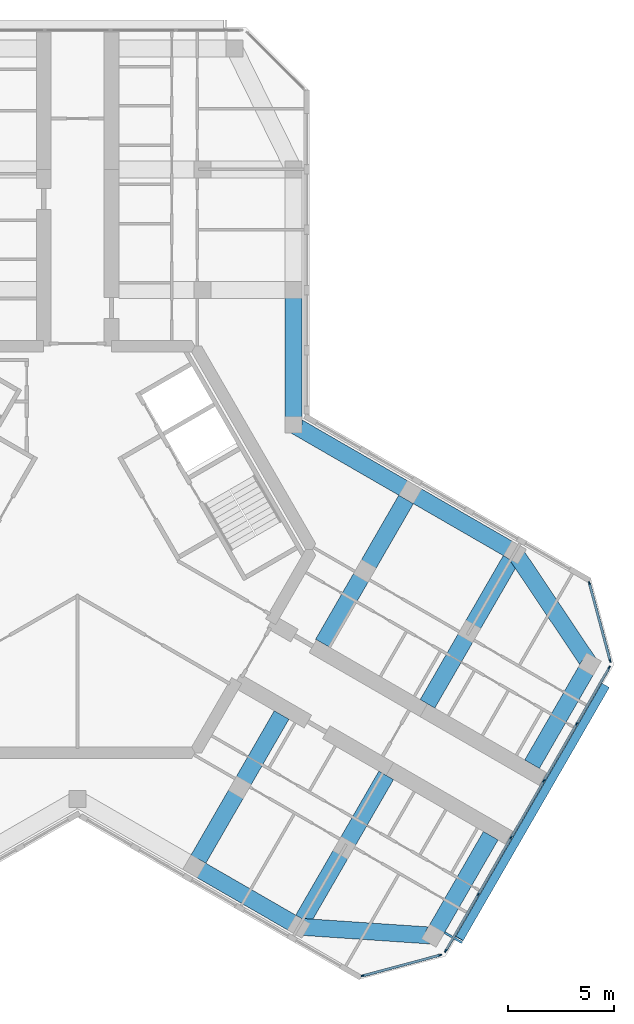
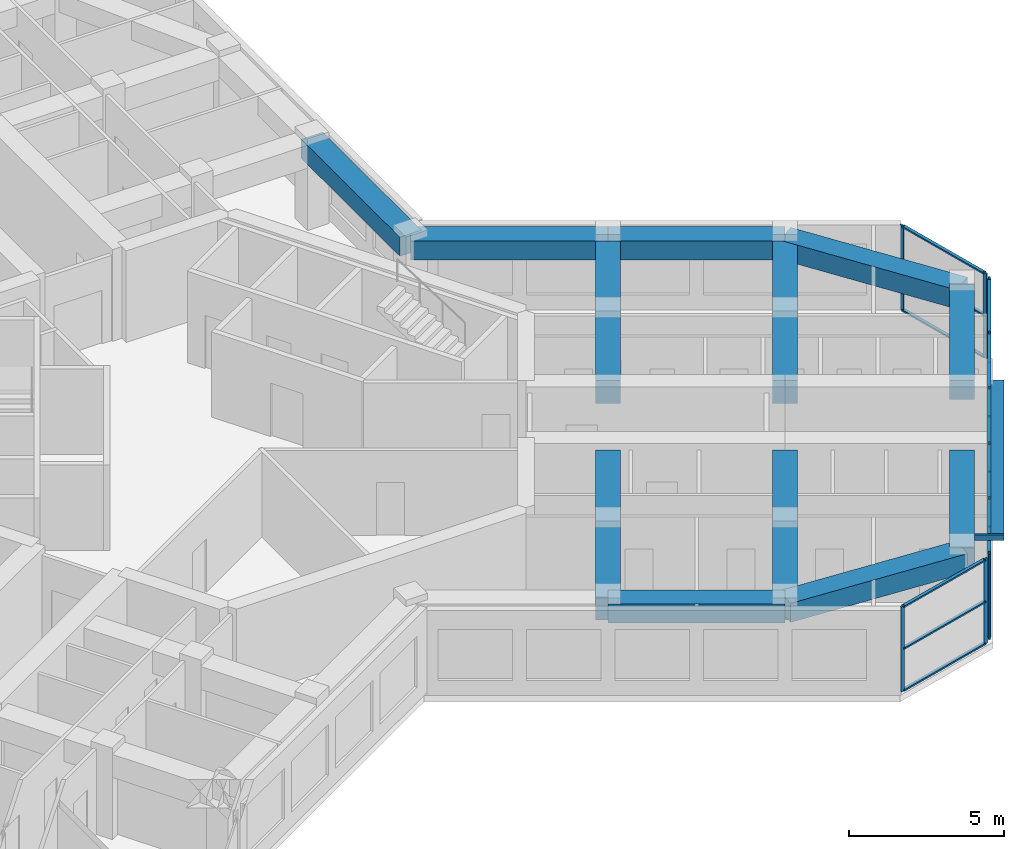
# One storey, part 4 of 14: 28 members, 12 beams, 3 elements without a shape of their own.
"""IFC4 building model written with IfcOpenShell, lengths in metres."""

import ifcopenshell
import ifcopenshell.guid

model = None  # the IFC model being written
_history = None  # IfcOwnerHistory: only IFC2X3 demands one
_inside = {}  # id of a spatial element -> (the spatial element, [elements in it])
_under = {}  # id of a project, library or spatial element -> (it, [spatial elements below it])
_declared = {}  # id of a project -> (the project, [libraries it declares])
_typed = {}  # id of a type object -> (the type object, [elements of that type])
_made_of = {}  # id of a material, layer set ... -> (it, [elements and type objects made of it])


def new_model(schema):
    """Start an empty IFC model of exactly this schema.

    Asked for "IFC4X3", IfcOpenShell would pick the latest addendum, in which some entities
    have other attributes; the version numbers below select the first issue.
    IFC2X3 requires an IfcOwnerHistory on every rooted entity: one is made here for all.
    """
    global model, _history
    if schema == "IFC4X3":
        model = ifcopenshell.file(schema_version=(4, 3, 0, 0))
    else:
        model = ifcopenshell.file(schema=schema)
    _inside.clear()
    _under.clear()
    _declared.clear()
    _typed.clear()
    _made_of.clear()
    _history = None
    if model.schema == "IFC2X3":
        org = make("IfcOrganization", Name="unknown")
        user = make(
            "IfcPersonAndOrganization",
            ThePerson=make("IfcPerson", FamilyName="unknown"),
            TheOrganization=org,
        )
        app = make(
            "IfcApplication",
            ApplicationDeveloper=org,
            Version="unknown",
            ApplicationFullName="unknown",
            ApplicationIdentifier="unknown",
        )
        _history = make(
            "IfcOwnerHistory",
            OwningUser=user,
            OwningApplication=app,
            ChangeAction="ADDED",
            CreationDate=0,
        )
    return model


def make(cls, **values):
    """One entity of the class cls with the attributes given. An attribute that is None is left unset."""
    return model.create_entity(
        cls, **{name: value for name, value in values.items() if value is not None}
    )


def rooted(cls, **values):
    """An entity with a GlobalId (a new one), such as an element, a storey or a relation."""
    return make(cls, GlobalId=ifcopenshell.guid.new(), OwnerHistory=_history, **values)


def si_unit(unit_type, name, prefix=None):
    """IfcSIUnit, for example si_unit("LENGTHUNIT", "METRE", prefix="MILLI")."""
    return make("IfcSIUnit", UnitType=unit_type, Prefix=prefix, Name=name)


def assignment(units):
    """IfcUnitAssignment: the units of a project."""
    return None if units is None else make("IfcUnitAssignment", Units=units)


def point(xyz):
    """IfcCartesianPoint."""
    return None if xyz is None else make("IfcCartesianPoint", Coordinates=xyz)


def direction(xyz):
    """IfcDirection."""
    return None if xyz is None else make("IfcDirection", DirectionRatios=xyz)


def frame(location, z_axis=None, x_axis=None):
    """IfcAxis2Placement3D, a coordinate frame: its origin and axes. An axis left out is left unset."""
    return make(
        "IfcAxis2Placement3D",
        Location=point(location),
        Axis=direction(z_axis),
        RefDirection=direction(x_axis),
    )


def frame_2d(location, x_axis=None):
    """IfcAxis2Placement2D, a coordinate frame in the plane: its origin and x axis."""
    return make(
        "IfcAxis2Placement2D", Location=point(location), RefDirection=direction(x_axis)
    )


def origin():
    """The frame at (0, 0, 0) with its axes left unset."""
    return frame((0.0, 0.0, 0.0))


def origin_2d():
    """The frame at (0, 0) in the plane with its x axis left unset."""
    return frame_2d((0.0, 0.0))


def place(relative_to, where):
    """IfcLocalPlacement: puts the frame where relative to a parent placement (None: the world)."""
    return make(
        "IfcLocalPlacement", PlacementRelTo=relative_to, RelativePlacement=where
    )


def context(
    kind, dimensions, precision=None, world=None, true_north=None, identifier=None
):
    """IfcGeometricRepresentationContext, for example the 3D "Model" context."""
    return make(
        "IfcGeometricRepresentationContext",
        ContextIdentifier=identifier,
        ContextType=kind,
        CoordinateSpaceDimension=dimensions,
        Precision=precision,
        WorldCoordinateSystem=world,
        TrueNorth=true_north,
    )


def subcontext(parent, identifier, kind, view, scale=None):
    """IfcGeometricRepresentationSubContext, for example "Body" below "Model"."""
    return make(
        "IfcGeometricRepresentationSubContext",
        ContextIdentifier=identifier,
        ContextType=kind,
        ParentContext=parent,
        TargetScale=scale,
        TargetView=view,
    )


def project(units=None, contexts=None):
    """IfcProject with its units and contexts."""
    return rooted(
        "IfcProject",
        Name="project",
        RepresentationContexts=contexts,
        UnitsInContext=assignment(units),
    )


def spatial(cls, under=None, at=None, **own):
    """A site, building, storey or space (cls), placed at a placement, below another one or the project."""
    s = rooted(cls, ObjectPlacement=at, **own)
    if under is not None:
        _under.setdefault(under.id(), (under, []))[1].append(s)
    return s


def profile(cls, at=None, kind="AREA", **sizes):
    """A parametric profile (cls). Its sizes go by their IFC names, for example OverallWidth=200.0."""
    return make(cls, ProfileType=kind, Position=at, **sizes)


def rectangle(**sizes):
    """IfcRectangleProfileDef."""
    return profile("IfcRectangleProfileDef", **sizes)


def hollow_rectangle(**sizes):
    """IfcRectangleHollowProfileDef."""
    return profile("IfcRectangleHollowProfileDef", **sizes)


def extrude(swept, where, along, depth):
    """IfcExtrudedAreaSolid: the profile swept, set in the frame where, extruded along a direction by depth."""
    return make(
        "IfcExtrudedAreaSolid",
        SweptArea=swept,
        Position=where,
        ExtrudedDirection=direction(along),
        Depth=depth,
    )


def shape(context_of_items, identifier, shape_type, items):
    """IfcShapeRepresentation: the items that make up one representation, for example the "Body"."""
    return make(
        "IfcShapeRepresentation",
        ContextOfItems=context_of_items,
        RepresentationIdentifier=identifier,
        RepresentationType=shape_type,
        Items=items,
    )


def material(Name=None, Category=None):
    """IfcMaterial."""
    return make("IfcMaterial", Name=Name, Category=Category)


def material_profile(
    of_material, cross_section, Name=None, Category=None, Priority=None
):
    """IfcMaterialProfile: a cross section and its material."""
    return make(
        "IfcMaterialProfile",
        Name=Name,
        Material=of_material,
        Profile=cross_section,
        Priority=Priority,
        Category=Category,
    )


def profile_set(profiles, Name=None, composite=None):
    """IfcMaterialProfileSet."""
    return make(
        "IfcMaterialProfileSet",
        Name=Name,
        MaterialProfiles=profiles,
        CompositeProfile=composite,
    )


def made_of(thing, what):
    """Note that an element or type object is made of a material, layer set ...; save() writes the relation."""
    if what is not None:
        _made_of.setdefault(what.id(), (what, []))[1].append(thing)
    return thing


def type_object(cls, material=None, **own):
    """A type object (cls), such as IfcWallType, which elements share."""
    return made_of(rooted(cls, **own), material)


def element(
    cls,
    number,
    at=None,
    inside=None,
    cuts=None,
    type_object=None,
    material=None,
    context=None,
    identifier="Body",
    shape_type=None,
    held_by="IfcProductDefinitionShape",
    body=None,
    shapes=None,
    **own,
):
    """One element of the class cls, such as IfcWall. Its Tag is "e" and its number.

    at: its placement. inside: the storey or other place that contains it. cuts: it is an
    opening in that element (IfcRelVoidsElement). A single representation is given by context,
    identifier, shape_type and body (its items); several are given by shapes. held_by: the class
    of the entity that holds the representations. save() writes the other relations.
    """
    e = rooted(cls, Tag="e%d" % number, ObjectPlacement=at, **own)
    if body is not None:
        shapes = [shape(context, identifier, shape_type, body)]
    if shapes is not None:
        e.Representation = make(held_by, Representations=shapes)
    if inside is not None:
        _inside.setdefault(inside.id(), (inside, []))[1].append(e)
    if cuts is not None:
        rooted(
            "IfcRelVoidsElement", RelatingBuildingElement=cuts, RelatedOpeningElement=e
        )
    if type_object is not None:
        _typed.setdefault(type_object.id(), (type_object, []))[1].append(e)
    return made_of(e, material)


def aggregate(whole, parts):
    """IfcRelAggregates: a whole, such as a stair, and the parts it consists of."""
    return rooted("IfcRelAggregates", RelatingObject=whole, RelatedObjects=parts)


def save(model, path):
    """Write the relations noted so far, then the file.

    IfcRelAggregates (storeys below a building ...), IfcRelContainedInSpatialStructure (elements
    in a storey), IfcRelDefinesByType, IfcRelAssociatesMaterial and IfcRelDeclares: one each for
    every whole, place, type object, material and project.
    """
    for whole, parts in _under.values():
        aggregate(whole, parts)
    for where, things in _inside.values():
        rooted(
            "IfcRelContainedInSpatialStructure",
            RelatedElements=things,
            RelatingStructure=where,
        )
    for kind, things in _typed.values():
        rooted("IfcRelDefinesByType", RelatedObjects=things, RelatingType=kind)
    for what, things in _made_of.values():
        rooted("IfcRelAssociatesMaterial", RelatedObjects=things, RelatingMaterial=what)
    for by, libraries in _declared.values():
        rooted("IfcRelDeclares", RelatingContext=by, RelatedDefinitions=libraries)
    model.write(path)


model = new_model("IFC4")

# Units and contexts
model_context = context("Model", 3, precision=1e-05, world=origin(), true_north=direction((0.0, 1.0)))
body_context = subcontext(model_context, "Body", "Model", "MODEL_VIEW")
ifc_project = project(units=[si_unit("LENGTHUNIT", "METRE"), si_unit("AREAUNIT", "SQUARE_METRE"), si_unit("VOLUMEUNIT", "CUBIC_METRE"), si_unit("PLANEANGLEUNIT", "RADIAN"), si_unit("MASSUNIT", "GRAM", prefix="KILO")], contexts=[model_context])

# Site, building, storey
site_placement = place(None, origin())
site = spatial("IfcSite", under=ifc_project, at=site_placement, CompositionType="ELEMENT")
building_placement = place(site_placement, origin())
building = spatial("IfcBuilding", under=site, at=building_placement, Name="Kosmar Iwan School Tower", CompositionType="ELEMENT")
storey_placement = place(building_placement, frame((0.0, 0.0, 274.60009765625)))
storey = spatial("IfcBuildingStorey", under=building, at=storey_placement, Name="L69", CompositionType="ELEMENT", Elevation=274.60009765625)

# Members
ifc_material_1 = material(Name="Black anodised aluminium", Category="aluminium")
ifc_material_profile_1 = material_profile(ifc_material_1, rectangle(XDim=0.10009765625, YDim=0.39990234375, at=origin_2d()), Name="FIN 100x400")
ifc_profile_set_1 = profile_set([ifc_material_profile_1], Name="Black anodised aluminium")
member_type_1 = type_object("IfcMemberType", Name="Diagonal fin 100x400", PredefinedType="USERDEFINED", material=ifc_profile_set_1)
member_1_placement = place(storey_placement, frame((24.926513671875, -6.426025390625, -0.150146484375), z_axis=(-0.483800388566, -0.837965217343, 0.2524905514), x_axis=(0.126245460598, 0.218663124976, 0.96759935999)))
element("IfcMember", 1, at=member_1_placement, inside=storey, type_object=member_type_1, Name="Diagonal fin L69-F03", ObjectType="FIN", PredefinedType="USERDEFINED", context=body_context, shape_type="SweptSolid", body=[
    extrude(rectangle(XDim=0.10009765625, YDim=0.39990234375, at=origin_2d()), origin(), (0.0, 0.0, 1.0), 14.25830078125),
])
ifc_material_2 = material(Name="Steel S355", Category="steel")
ifc_material_profile_2 = material_profile(ifc_material_2, hollow_rectangle(XDim=0.10009765625, YDim=0.199951171875, WallThickness=0.008056640625, at=origin_2d()), Name="RHS 200x100x8")
ifc_profile_set_2 = profile_set([ifc_material_profile_2], Name="Steel S355")
member_type_2 = type_object("IfcMemberType", Name="Fin bracket RHS 200x100", PredefinedType="USERDEFINED", material=ifc_profile_set_2)
member_2_placement = place(storey_placement, frame((17.327880859375, -18.087158203125, 3.474853515625), z_axis=(0.865988727248, -0.500063520245, 0.0), x_axis=(0.500063520245, 0.865988727248, 0.0)))
element("IfcMember", 2, at=member_2_placement, inside=storey, type_object=member_type_2, Name="Fin bracket L70", ObjectType="FIN BRACKET", PredefinedType="USERDEFINED", context=body_context, shape_type="SweptSolid", body=[
    extrude(hollow_rectangle(XDim=0.10009765625, YDim=0.199951171875, WallThickness=0.008056640625, at=origin_2d()), origin(), (0.0, 0.0, 1.0), 0.9501953125),
])

# Curtain wall, members
ifc_material_3 = material(Name="Dark glass in black aluminium frame", Category="aluminium")
curtain_wall_type_1 = type_object("IfcCurtainWallType", Name="Chamfer curtain wall dark glass", PredefinedType="USERDEFINED", material=ifc_material_3)
curtain_wall_1_placement = place(storey_placement, origin())
curtain_wall_1 = element("IfcCurtainWall", 3, at=curtain_wall_1_placement, inside=storey, type_object=curtain_wall_type_1, Name="Curtain wall L69-F02", ObjectType="FACETED CURTAIN WALL", PredefinedType="USERDEFINED")
ifc_material_4 = material(Name="Black anodised aluminium", Category="aluminium")
ifc_material_profile_3 = material_profile(ifc_material_4, rectangle(XDim=0.06005859375, YDim=0.159912109375, at=origin_2d()), Name="MULLION 60x160")
ifc_profile_set_3 = profile_set([ifc_material_profile_3], Name="Black anodised aluminium")
member_type_3 = type_object("IfcMemberType", Name="Mullion 60x160", PredefinedType="MULLION", material=ifc_profile_set_3)
member_3_placement = place(storey_placement, frame((13.466064453125, -20.127197265625, 0.0), z_axis=(0.0, 0.0, 1.0), x_axis=(-0.258818861462, 0.965925875495, 0.0)))
member_3 = element("IfcMember", 4, at=member_3_placement, type_object=member_type_3, Name="CW2 mullion 1", PredefinedType="MULLION", context=body_context, shape_type="SweptSolid", body=[
    extrude(rectangle(XDim=0.06005859375, YDim=0.159912109375, at=origin_2d()), origin(), (0.0, 0.0, 1.0), 3.349853515625),
])
member_4_placement = place(storey_placement, frame((17.1162109375, -19.149169921875, 0.0), z_axis=(0.0, 0.0, 1.0), x_axis=(-0.258818861462, 0.965925875495, 0.0)))
member_4 = element("IfcMember", 5, at=member_4_placement, type_object=member_type_3, Name="CW2 mullion 2", PredefinedType="MULLION", context=body_context, shape_type="SweptSolid", body=[
    extrude(rectangle(XDim=0.06005859375, YDim=0.159912109375, at=origin_2d()), origin(), (0.0, 0.0, 1.0), 3.349853515625),
])

ifc_material_5 = material(Name="Dark glass in black aluminium frame", Category="aluminium")
curtain_wall_type_2 = type_object("IfcCurtainWallType", Name="Tower curtain wall dark glass", PredefinedType="USERDEFINED", material=ifc_material_5)
curtain_wall_2_placement = place(storey_placement, origin())
curtain_wall_2 = element("IfcCurtainWall", 6, at=curtain_wall_2_placement, inside=storey, type_object=curtain_wall_type_2, Name="Curtain wall L69-F03", ObjectType="UNITISED CURTAIN WALL", PredefinedType="USERDEFINED")
member_5_placement = place(storey_placement, frame((17.380126953125, -18.94677734375, 0.0), z_axis=(0.0, 0.0, 1.0), x_axis=(-0.866025405329, 0.499999997325, 0.0)))
member_5 = element("IfcMember", 7, at=member_5_placement, type_object=member_type_3, Name="CW1 mullion 1", PredefinedType="MULLION", context=body_context, shape_type="SweptSolid", body=[
    extrude(rectangle(XDim=0.06005859375, YDim=0.159912109375, at=origin_2d()), origin(), (0.0, 0.0, 1.0), 3.349853515625),
])
member_6_placement = place(storey_placement, frame((18.914794921875, -16.28857421875, 0.0), z_axis=(0.0, 0.0, 1.0), x_axis=(-0.866025405329, 0.499999997325, 0.0)))
member_6 = element("IfcMember", 8, at=member_6_placement, type_object=member_type_3, Name="CW1 mullion 2", PredefinedType="MULLION", context=body_context, shape_type="SweptSolid", body=[
    extrude(rectangle(XDim=0.06005859375, YDim=0.159912109375, at=origin_2d()), origin(), (0.0, 0.0, 1.0), 3.349853515625),
])
member_7_placement = place(storey_placement, frame((20.46435546875, -13.6044921875, 0.0), z_axis=(0.0, 0.0, 1.0), x_axis=(-0.866025405329, 0.499999997325, 0.0)))
member_7 = element("IfcMember", 9, at=member_7_placement, type_object=member_type_3, Name="CW1 mullion 3", PredefinedType="MULLION", context=body_context, shape_type="SweptSolid", body=[
    extrude(rectangle(XDim=0.06005859375, YDim=0.159912109375, at=origin_2d()), origin(), (0.0, 0.0, 1.0), 3.349853515625),
])
member_8_placement = place(storey_placement, frame((22.01416015625, -10.92041015625, 0.0), z_axis=(0.0, 0.0, 1.0), x_axis=(-0.866025405329, 0.499999997325, 0.0)))
member_8 = element("IfcMember", 10, at=member_8_placement, type_object=member_type_3, Name="CW1 mullion 4", PredefinedType="MULLION", context=body_context, shape_type="SweptSolid", body=[
    extrude(rectangle(XDim=0.06005859375, YDim=0.159912109375, at=origin_2d()), origin(), (0.0, 0.0, 1.0), 3.349853515625),
])
member_9_placement = place(storey_placement, frame((23.563720703125, -8.236328125, 0.0), z_axis=(0.0, 0.0, 1.0), x_axis=(-0.866025405329, 0.499999997325, 0.0)))
member_9 = element("IfcMember", 11, at=member_9_placement, type_object=member_type_3, Name="CW1 mullion 5", PredefinedType="MULLION", context=body_context, shape_type="SweptSolid", body=[
    extrude(rectangle(XDim=0.06005859375, YDim=0.159912109375, at=origin_2d()), origin(), (0.0, 0.0, 1.0), 3.349853515625),
])
member_10_placement = place(storey_placement, frame((25.098388671875, -5.578369140625, 0.0), z_axis=(0.0, 0.0, 1.0), x_axis=(-0.866025405329, 0.499999997325, 0.0)))
member_10 = element("IfcMember", 12, at=member_10_placement, type_object=member_type_3, Name="CW1 mullion 6", PredefinedType="MULLION", context=body_context, shape_type="SweptSolid", body=[
    extrude(rectangle(XDim=0.06005859375, YDim=0.159912109375, at=origin_2d()), origin(), (0.0, 0.0, 1.0), 3.349853515625),
])

curtain_wall_3_placement = place(storey_placement, origin())
curtain_wall_3 = element("IfcCurtainWall", 13, at=curtain_wall_3_placement, inside=storey, type_object=curtain_wall_type_1, Name="Curtain wall L69-F04", ObjectType="FACETED CURTAIN WALL", PredefinedType="USERDEFINED")
member_11_placement = place(storey_placement, frame((25.141845703125, -5.24853515625, 0.0), z_axis=(0.0, 0.0, 1.0), x_axis=(-0.965925875495, -0.258818861462, 0.0)))
member_11 = element("IfcMember", 14, at=member_11_placement, type_object=member_type_3, Name="CW2 mullion 1", PredefinedType="MULLION", context=body_context, shape_type="SweptSolid", body=[
    extrude(rectangle(XDim=0.06005859375, YDim=0.159912109375, at=origin_2d()), origin(), (0.0, 0.0, 1.0), 3.349853515625),
])
member_12_placement = place(storey_placement, frame((24.163818359375, -1.59814453125, 0.0), z_axis=(0.0, 0.0, 1.0), x_axis=(-0.965925875495, -0.258818861462, 0.0)))
member_12 = element("IfcMember", 15, at=member_12_placement, type_object=member_type_3, Name="CW2 mullion 2", PredefinedType="MULLION", context=body_context, shape_type="SweptSolid", body=[
    extrude(rectangle(XDim=0.06005859375, YDim=0.159912109375, at=origin_2d()), origin(), (0.0, 0.0, 1.0), 3.349853515625),
])

# Beams
ifc_material_6 = material(Name="Concrete C50/60", Category="concrete")
ifc_material_profile_4 = material_profile(ifc_material_6, rectangle(XDim=0.800048828125, YDim=0.75, at=origin_2d()), Name="RC 800x750")
ifc_profile_set_4 = profile_set([ifc_material_profile_4], Name="Concrete C50/60")
beam_type_1 = type_object("IfcBeamType", Name="RC edge beam 800x750", PredefinedType="BEAM", material=ifc_profile_set_4)
beam_1_placement = place(storey_placement, frame((10.199951171875, 5.888916015625, 2.974853515625), z_axis=(0.0, 1.0, 0.0), x_axis=(-1.0, 0.0, 0.0)))
element("IfcBeam", 16, at=beam_1_placement, inside=storey, type_object=beam_type_1, Name="Edge beam AR1", PredefinedType="BEAM", context=body_context, shape_type="SweptSolid", body=[
    extrude(rectangle(XDim=0.800048828125, YDim=0.75, at=origin_2d()), origin(), (0.0, 0.0, 1.0), 6.361083984375),
])
beam_2_placement = place(storey_placement, frame((10.199951171875, 5.888916015625, 2.974853515625), z_axis=(0.866030912664, -0.49999045822, 0.0), x_axis=(0.49999045822, 0.866030912664, 0.0)))
element("IfcBeam", 17, at=beam_2_placement, inside=storey, type_object=beam_type_1, Name="Edge beam CL1", PredefinedType="BEAM", context=body_context, shape_type="SweptSolid", body=[
    extrude(rectangle(XDim=0.800048828125, YDim=0.75, at=origin_2d()), origin(), (0.0, 0.0, 1.0), 6.36083984375),
])
beam_3_placement = place(storey_placement, frame((15.708740234375, 2.70849609375, 2.974853515625), z_axis=(0.866025820012, -0.499999279071, 0.0), x_axis=(0.499999279071, 0.866025820012, 0.0)))
element("IfcBeam", 18, at=beam_3_placement, inside=storey, type_object=beam_type_1, Name="Edge beam CL2", PredefinedType="BEAM", context=body_context, shape_type="SweptSolid", body=[
    extrude(rectangle(XDim=0.800048828125, YDim=0.75, at=origin_2d()), origin(), (0.0, 0.0, 1.0), 5.7001953125),
])
beam_4_placement = place(storey_placement, frame((5.5087890625, -14.95849609375, 2.974853515625), z_axis=(0.866033658841, -0.49998570155, 0.0), x_axis=(0.49998570155, 0.866033658841, 0.0)))
element("IfcBeam", 19, at=beam_4_placement, inside=storey, type_object=beam_type_1, Name="Edge beam CR2", PredefinedType="BEAM", context=body_context, shape_type="SweptSolid", body=[
    extrude(rectangle(XDim=0.800048828125, YDim=0.75, at=origin_2d()), origin(), (0.0, 0.0, 1.0), 5.699951171875),
])
ifc_material_7 = material(Name="Concrete C50/60", Category="concrete")
ifc_material_profile_5 = material_profile(ifc_material_7, rectangle(XDim=0.800048828125, YDim=0.75, at=origin_2d()), Name="RC 800x750")
ifc_profile_set_5 = profile_set([ifc_material_profile_5], Name="Concrete C50/60")
beam_type_2 = type_object("IfcBeamType", Name="RC tip beam 800x750", PredefinedType="BEAM", material=ifc_profile_set_5)
beam_5_placement = place(storey_placement, frame((20.645263671875, -0.1416015625, 2.974853515625), z_axis=(0.556827604145, -0.83062808721, 0.0), x_axis=(0.83062808721, 0.556827604145, 0.0)))
element("IfcBeam", 20, at=beam_5_placement, inside=storey, type_object=beam_type_2, Name="Tip beam CL", PredefinedType="BEAM", context=body_context, shape_type="SweptSolid", body=[
    extrude(rectangle(XDim=0.800048828125, YDim=0.75, at=origin_2d()), origin(), (0.0, 0.0, 1.0), 6.3505859375),
])
beam_6_placement = place(storey_placement, frame((24.181396484375, -5.41650390625, 2.974853515625), z_axis=(-0.499988730927, -0.866031909889, 0.0), x_axis=(0.866031909889, -0.499988730927, 0.0)))
element("IfcBeam", 21, at=beam_6_placement, inside=storey, type_object=beam_type_2, Name="Tip beam CL to corridor wall", PredefinedType="BEAM", context=body_context, shape_type="SweptSolid", body=[
    extrude(rectangle(XDim=0.800048828125, YDim=0.75, at=origin_2d()), origin(), (0.0, 0.0, 1.0), 5.449951171875),
])
beam_7_placement = place(storey_placement, frame((10.445068359375, -17.808349609375, 2.974853515625), z_axis=(0.997755118724, -0.066968074933, 0.0), x_axis=(0.066968074933, 0.997755118724, 0.0)))
element("IfcBeam", 22, at=beam_7_placement, inside=storey, type_object=beam_type_2, Name="Tip beam CR", PredefinedType="BEAM", context=body_context, shape_type="SweptSolid", body=[
    extrude(rectangle(XDim=0.800048828125, YDim=0.75, at=origin_2d()), origin(), (0.0, 0.0, 1.0), 6.3505859375),
])
beam_8_placement = place(storey_placement, frame((16.781494140625, -18.233642578125, 2.974853515625), z_axis=(0.500002931134, 0.866023711487, 0.0), x_axis=(-0.866023711487, 0.500002931134, 0.0)))
element("IfcBeam", 23, at=beam_8_placement, inside=storey, type_object=beam_type_2, Name="Tip beam CR to corridor wall", PredefinedType="BEAM", context=body_context, shape_type="SweptSolid", body=[
    extrude(rectangle(XDim=0.800048828125, YDim=0.75, at=origin_2d()), origin(), (0.0, 0.0, 1.0), 5.4501953125),
])
ifc_material_8 = material(Name="Concrete C50/60", Category="concrete")
ifc_material_profile_6 = material_profile(ifc_material_8, rectangle(XDim=0.800048828125, YDim=0.89990234375, at=origin_2d()), Name="RC 800x900")
ifc_profile_set_6 = profile_set([ifc_material_profile_6], Name="Concrete C50/60")
beam_type_3 = type_object("IfcBeamType", Name="RC transverse beam 800x900", PredefinedType="BEAM", material=ifc_profile_set_6)
beam_9_placement = place(storey_placement, frame((15.708740234375, 2.70849609375, 2.89990234375), z_axis=(-0.499996545922, -0.866027397988, 0.0), x_axis=(0.866027397988, -0.499996545922, 0.0)))
element("IfcBeam", 24, at=beam_9_placement, inside=storey, type_object=beam_type_3, Name="Transverse beam CL1", PredefinedType="BEAM", context=body_context, shape_type="SweptSolid", body=[
    extrude(rectangle(XDim=0.800048828125, YDim=0.89990234375, at=origin_2d()), origin(), (0.0, 0.0, 1.0), 8.25),
])
beam_10_placement = place(storey_placement, frame((20.645263671875, -0.1416015625, 2.89990234375), z_axis=(-0.500009360108, -0.866019999656, 0.0), x_axis=(0.866019999656, -0.500009360108, 0.0)))
element("IfcBeam", 25, at=beam_10_placement, inside=storey, type_object=beam_type_3, Name="Transverse beam CL2", PredefinedType="BEAM", context=body_context, shape_type="SweptSolid", body=[
    extrude(rectangle(XDim=0.800048828125, YDim=0.89990234375, at=origin_2d()), origin(), (0.0, 0.0, 1.0), 8.249755859375),
])
beam_11_placement = place(storey_placement, frame((5.5087890625, -14.95849609375, 2.89990234375), z_axis=(0.499996545922, 0.866027397988, 0.0), x_axis=(-0.866027397988, 0.499996545922, 0.0)))
element("IfcBeam", 26, at=beam_11_placement, inside=storey, type_object=beam_type_3, Name="Transverse beam CR1", PredefinedType="BEAM", context=body_context, shape_type="SweptSolid", body=[
    extrude(rectangle(XDim=0.800048828125, YDim=0.89990234375, at=origin_2d()), origin(), (0.0, 0.0, 1.0), 8.25),
])
beam_12_placement = place(storey_placement, frame((10.445068359375, -17.808349609375, 2.89990234375), z_axis=(0.500009360108, 0.866019999656, 0.0), x_axis=(-0.866019999656, 0.500009360108, 0.0)))
element("IfcBeam", 27, at=beam_12_placement, inside=storey, type_object=beam_type_3, Name="Transverse beam CR2", PredefinedType="BEAM", context=body_context, shape_type="SweptSolid", body=[
    extrude(rectangle(XDim=0.800048828125, YDim=0.89990234375, at=origin_2d()), origin(), (0.0, 0.0, 1.0), 8.249755859375),
])

# Member
ifc_material_9 = material(Name="Black anodised aluminium", Category="aluminium")
ifc_material_profile_7 = material_profile(ifc_material_9, rectangle(XDim=0.1201171875, YDim=0.06005859375, at=origin_2d()), Name="TRANSOM 60x120")
ifc_profile_set_7 = profile_set([ifc_material_profile_7], Name="Black anodised aluminium")
member_type_4 = type_object("IfcMemberType", Name="Transom 60x120", PredefinedType="USERDEFINED", material=ifc_profile_set_7)
member_13_placement = place(storey_placement, frame((13.494873046875, -20.119384765625, 0.02978515625), z_axis=(0.965940141052, 0.258765615768, 0.0), x_axis=(-0.258765615768, 0.965940141052, 0.0)))
member_13 = element("IfcMember", 28, at=member_13_placement, type_object=member_type_4, Name="CW2 transom 1.1", ObjectType="TRANSOM", PredefinedType="USERDEFINED", context=body_context, shape_type="SweptSolid", body=[
    extrude(rectangle(XDim=0.1201171875, YDim=0.06005859375, at=origin_2d()), origin(), (0.0, 0.0, 1.0), 3.71923828125),
])

member_14_placement = place(storey_placement, frame((13.494873046875, -20.119384765625, 1.6748046875), z_axis=(0.965940141052, 0.258765615768, 0.0), x_axis=(-0.258765615768, 0.965940141052, 0.0)))
member_14 = element("IfcMember", 29, at=member_14_placement, type_object=member_type_4, Name="CW2 transom 1.2", ObjectType="TRANSOM", PredefinedType="USERDEFINED", context=body_context, shape_type="SweptSolid", body=[
    extrude(rectangle(XDim=0.1201171875, YDim=0.06005859375, at=origin_2d()), origin(), (0.0, 0.0, 1.0), 3.71923828125),
])

member_15_placement = place(storey_placement, frame((13.494873046875, -20.119384765625, 3.31982421875), z_axis=(0.965940141052, 0.258765615768, 0.0), x_axis=(-0.258765615768, 0.965940141052, 0.0)))
member_15 = element("IfcMember", 30, at=member_15_placement, type_object=member_type_4, Name="CW2 transom 1.3", ObjectType="TRANSOM", PredefinedType="USERDEFINED", context=body_context, shape_type="SweptSolid", body=[
    extrude(rectangle(XDim=0.1201171875, YDim=0.06005859375, at=origin_2d()), origin(), (0.0, 0.0, 1.0), 3.71923828125),
])

aggregate(curtain_wall_1, [member_3, member_4, member_13, member_14, member_15])

member_16_placement = place(storey_placement, frame((17.395263671875, -18.920654296875, 0.02978515625), z_axis=(0.500022102064, 0.866012642776, 0.0), x_axis=(-0.866012642776, 0.500022102064, 0.0)))
member_16 = element("IfcMember", 31, at=member_16_placement, type_object=member_type_4, Name="CW1 transom 1.1", ObjectType="TRANSOM", PredefinedType="USERDEFINED", context=body_context, shape_type="SweptSolid", body=[
    extrude(rectangle(XDim=0.1201171875, YDim=0.06005859375, at=origin_2d()), origin(), (0.0, 0.0, 1.0), 3.009033203125),
])

member_17_placement = place(storey_placement, frame((17.395263671875, -18.920654296875, 3.31982421875), z_axis=(0.500022102064, 0.866012642776, 0.0), x_axis=(-0.866012642776, 0.500022102064, 0.0)))
member_17 = element("IfcMember", 32, at=member_17_placement, type_object=member_type_4, Name="CW1 transom 1.2", ObjectType="TRANSOM", PredefinedType="USERDEFINED", context=body_context, shape_type="SweptSolid", body=[
    extrude(rectangle(XDim=0.1201171875, YDim=0.06005859375, at=origin_2d()), origin(), (0.0, 0.0, 1.0), 3.009033203125),
])

member_18_placement = place(storey_placement, frame((18.9296875, -16.2626953125, 0.02978515625), z_axis=(0.500035348339, 0.866004994449, 0.0), x_axis=(-0.866004994449, 0.500035348339, 0.0)))
member_18 = element("IfcMember", 33, at=member_18_placement, type_object=member_type_4, Name="CW1 transom 2.1", ObjectType="TRANSOM", PredefinedType="USERDEFINED", context=body_context, shape_type="SweptSolid", body=[
    extrude(rectangle(XDim=0.1201171875, YDim=0.06005859375, at=origin_2d()), origin(), (0.0, 0.0, 1.0), 3.039306640625),
])

member_19_placement = place(storey_placement, frame((18.9296875, -16.2626953125, 3.31982421875), z_axis=(0.500035348339, 0.866004994449, 0.0), x_axis=(-0.866004994449, 0.500035348339, 0.0)))
member_19 = element("IfcMember", 34, at=member_19_placement, type_object=member_type_4, Name="CW1 transom 2.2", ObjectType="TRANSOM", PredefinedType="USERDEFINED", context=body_context, shape_type="SweptSolid", body=[
    extrude(rectangle(XDim=0.1201171875, YDim=0.06005859375, at=origin_2d()), origin(), (0.0, 0.0, 1.0), 3.039306640625),
])

member_20_placement = place(storey_placement, frame((20.4794921875, -13.57861328125, 0.02978515625), z_axis=(0.499975102327, 0.866039777986, 0.0), x_axis=(-0.866039777986, 0.499975102327, 0.0)))
member_20 = element("IfcMember", 35, at=member_20_placement, type_object=member_type_4, Name="CW1 transom 3.1", ObjectType="TRANSOM", PredefinedType="USERDEFINED", context=body_context, shape_type="SweptSolid", body=[
    extrude(rectangle(XDim=0.1201171875, YDim=0.06005859375, at=origin_2d()), origin(), (0.0, 0.0, 1.0), 3.039306640625),
])

member_21_placement = place(storey_placement, frame((20.4794921875, -13.57861328125, 3.31982421875), z_axis=(0.499975102327, 0.866039777986, 0.0), x_axis=(-0.866039777986, 0.499975102327, 0.0)))
member_21 = element("IfcMember", 36, at=member_21_placement, type_object=member_type_4, Name="CW1 transom 3.2", ObjectType="TRANSOM", PredefinedType="USERDEFINED", context=body_context, shape_type="SweptSolid", body=[
    extrude(rectangle(XDim=0.1201171875, YDim=0.06005859375, at=origin_2d()), origin(), (0.0, 0.0, 1.0), 3.039306640625),
])

member_22_placement = place(storey_placement, frame((22.029052734375, -10.89453125, 0.02978515625), z_axis=(0.500035348339, 0.866004994449, 0.0), x_axis=(-0.866004994449, 0.500035348339, 0.0)))
member_22 = element("IfcMember", 37, at=member_22_placement, type_object=member_type_4, Name="CW1 transom 4.1", ObjectType="TRANSOM", PredefinedType="USERDEFINED", context=body_context, shape_type="SweptSolid", body=[
    extrude(rectangle(XDim=0.1201171875, YDim=0.06005859375, at=origin_2d()), origin(), (0.0, 0.0, 1.0), 3.039306640625),
])

member_23_placement = place(storey_placement, frame((22.029052734375, -10.89453125, 3.31982421875), z_axis=(0.500035348339, 0.866004994449, 0.0), x_axis=(-0.866004994449, 0.500035348339, 0.0)))
member_23 = element("IfcMember", 38, at=member_23_placement, type_object=member_type_4, Name="CW1 transom 4.2", ObjectType="TRANSOM", PredefinedType="USERDEFINED", context=body_context, shape_type="SweptSolid", body=[
    extrude(rectangle(XDim=0.1201171875, YDim=0.06005859375, at=origin_2d()), origin(), (0.0, 0.0, 1.0), 3.039306640625),
])

member_24_placement = place(storey_placement, frame((23.578857421875, -8.21044921875, 0.02978515625), z_axis=(0.499986971506, 0.866032925658, 0.0), x_axis=(-0.866032925658, 0.499986971506, 0.0)))
member_24 = element("IfcMember", 39, at=member_24_placement, type_object=member_type_4, Name="CW1 transom 5.1", ObjectType="TRANSOM", PredefinedType="USERDEFINED", context=body_context, shape_type="SweptSolid", body=[
    extrude(rectangle(XDim=0.1201171875, YDim=0.06005859375, at=origin_2d()), origin(), (0.0, 0.0, 1.0), 3.00927734375),
])

member_25_placement = place(storey_placement, frame((23.578857421875, -8.21044921875, 3.31982421875), z_axis=(0.499986971506, 0.866032925658, 0.0), x_axis=(-0.866032925658, 0.499986971506, 0.0)))
member_25 = element("IfcMember", 40, at=member_25_placement, type_object=member_type_4, Name="CW1 transom 5.2", ObjectType="TRANSOM", PredefinedType="USERDEFINED", context=body_context, shape_type="SweptSolid", body=[
    extrude(rectangle(XDim=0.1201171875, YDim=0.06005859375, at=origin_2d()), origin(), (0.0, 0.0, 1.0), 3.00927734375),
])

aggregate(curtain_wall_2, [member_5, member_6, member_7, member_8, member_9, member_10, member_16, member_17, member_18, member_19, member_20, member_21, member_22, member_23, member_24, member_25])

member_26_placement = place(storey_placement, frame((25.134033203125, -5.219482421875, 0.02978515625), z_axis=(-0.258843273983, 0.965919333854, 0.0), x_axis=(-0.965919333854, -0.258843273983, 0.0)))
member_26 = element("IfcMember", 41, at=member_26_placement, type_object=member_type_4, Name="CW2 transom 1.1", ObjectType="TRANSOM", PredefinedType="USERDEFINED", context=body_context, shape_type="SweptSolid", body=[
    extrude(rectangle(XDim=0.1201171875, YDim=0.06005859375, at=origin_2d()), origin(), (0.0, 0.0, 1.0), 3.718994140625),
])

member_27_placement = place(storey_placement, frame((25.134033203125, -5.219482421875, 1.6748046875), z_axis=(-0.258843273983, 0.965919333854, 0.0), x_axis=(-0.965919333854, -0.258843273983, 0.0)))
member_27 = element("IfcMember", 42, at=member_27_placement, type_object=member_type_4, Name="CW2 transom 1.2", ObjectType="TRANSOM", PredefinedType="USERDEFINED", context=body_context, shape_type="SweptSolid", body=[
    extrude(rectangle(XDim=0.1201171875, YDim=0.06005859375, at=origin_2d()), origin(), (0.0, 0.0, 1.0), 3.718994140625),
])

member_28_placement = place(storey_placement, frame((25.134033203125, -5.219482421875, 3.31982421875), z_axis=(-0.258843273983, 0.965919333854, 0.0), x_axis=(-0.965919333854, -0.258843273983, 0.0)))
member_28 = element("IfcMember", 43, at=member_28_placement, type_object=member_type_4, Name="CW2 transom 1.3", ObjectType="TRANSOM", PredefinedType="USERDEFINED", context=body_context, shape_type="SweptSolid", body=[
    extrude(rectangle(XDim=0.1201171875, YDim=0.06005859375, at=origin_2d()), origin(), (0.0, 0.0, 1.0), 3.718994140625),
])

aggregate(curtain_wall_3, [member_11, member_12, member_26, member_27, member_28])

save(model, "model.ifc")
